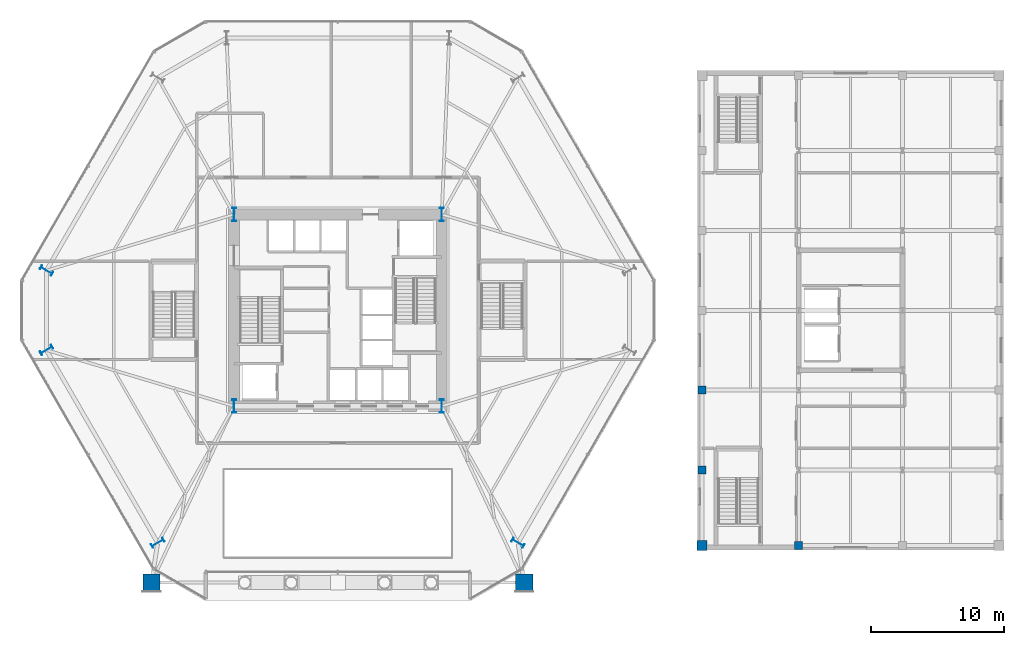
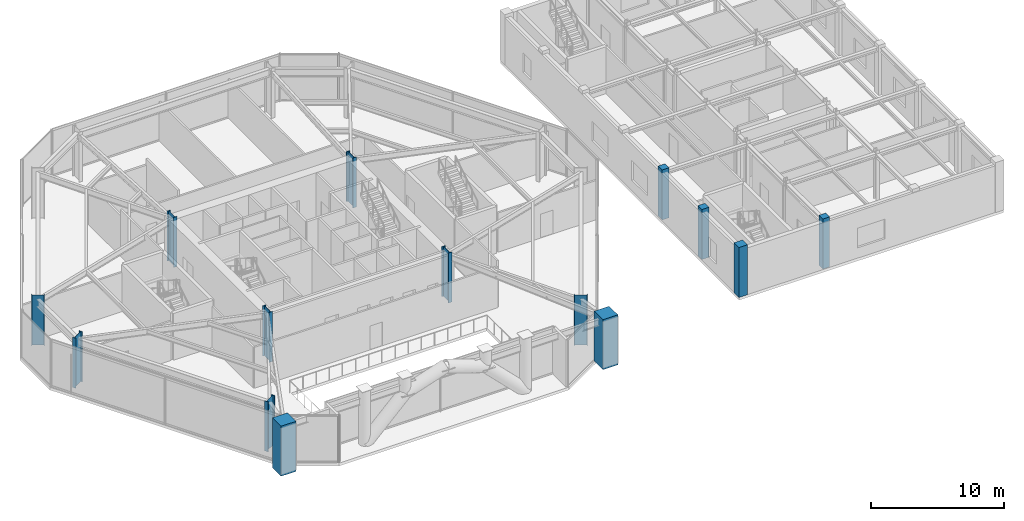
# One storey, part 1 of 23: 14 columns.
"""IFC4 building model written with IfcOpenShell, lengths in metres."""

import ifcopenshell
import ifcopenshell.guid

model = None  # the IFC model being written
_history = None  # IfcOwnerHistory: only IFC2X3 demands one
_inside = {}  # id of a spatial element -> (the spatial element, [elements in it])
_under = {}  # id of a project, library or spatial element -> (it, [spatial elements below it])
_declared = {}  # id of a project -> (the project, [libraries it declares])
_typed = {}  # id of a type object -> (the type object, [elements of that type])
_made_of = {}  # id of a material, layer set ... -> (it, [elements and type objects made of it])


def new_model(schema):
    """Start an empty IFC model of exactly this schema.

    Asked for "IFC4X3", IfcOpenShell would pick the latest addendum, in which some entities
    have other attributes; the version numbers below select the first issue.
    IFC2X3 requires an IfcOwnerHistory on every rooted entity: one is made here for all.
    """
    global model, _history
    if schema == "IFC4X3":
        model = ifcopenshell.file(schema_version=(4, 3, 0, 0))
    else:
        model = ifcopenshell.file(schema=schema)
    _inside.clear()
    _under.clear()
    _declared.clear()
    _typed.clear()
    _made_of.clear()
    _history = None
    if model.schema == "IFC2X3":
        org = make("IfcOrganization", Name="unknown")
        user = make(
            "IfcPersonAndOrganization",
            ThePerson=make("IfcPerson", FamilyName="unknown"),
            TheOrganization=org,
        )
        app = make(
            "IfcApplication",
            ApplicationDeveloper=org,
            Version="unknown",
            ApplicationFullName="unknown",
            ApplicationIdentifier="unknown",
        )
        _history = make(
            "IfcOwnerHistory",
            OwningUser=user,
            OwningApplication=app,
            ChangeAction="ADDED",
            CreationDate=0,
        )
    return model


def make(cls, **values):
    """One entity of the class cls with the attributes given. An attribute that is None is left unset."""
    return model.create_entity(
        cls, **{name: value for name, value in values.items() if value is not None}
    )


def rooted(cls, **values):
    """An entity with a GlobalId (a new one), such as an element, a storey or a relation."""
    return make(cls, GlobalId=ifcopenshell.guid.new(), OwnerHistory=_history, **values)


def si_unit(unit_type, name, prefix=None):
    """IfcSIUnit, for example si_unit("LENGTHUNIT", "METRE", prefix="MILLI")."""
    return make("IfcSIUnit", UnitType=unit_type, Prefix=prefix, Name=name)


def assignment(units):
    """IfcUnitAssignment: the units of a project."""
    return None if units is None else make("IfcUnitAssignment", Units=units)


def point(xyz):
    """IfcCartesianPoint."""
    return None if xyz is None else make("IfcCartesianPoint", Coordinates=xyz)


def direction(xyz):
    """IfcDirection."""
    return None if xyz is None else make("IfcDirection", DirectionRatios=xyz)


def frame(location, z_axis=None, x_axis=None):
    """IfcAxis2Placement3D, a coordinate frame: its origin and axes. An axis left out is left unset."""
    return make(
        "IfcAxis2Placement3D",
        Location=point(location),
        Axis=direction(z_axis),
        RefDirection=direction(x_axis),
    )


def frame_2d(location, x_axis=None):
    """IfcAxis2Placement2D, a coordinate frame in the plane: its origin and x axis."""
    return make(
        "IfcAxis2Placement2D", Location=point(location), RefDirection=direction(x_axis)
    )


def origin():
    """The frame at (0, 0, 0) with its axes left unset."""
    return frame((0.0, 0.0, 0.0))


def origin_2d():
    """The frame at (0, 0) in the plane with its x axis left unset."""
    return frame_2d((0.0, 0.0))


def place(relative_to, where):
    """IfcLocalPlacement: puts the frame where relative to a parent placement (None: the world)."""
    return make(
        "IfcLocalPlacement", PlacementRelTo=relative_to, RelativePlacement=where
    )


def context(
    kind, dimensions, precision=None, world=None, true_north=None, identifier=None
):
    """IfcGeometricRepresentationContext, for example the 3D "Model" context."""
    return make(
        "IfcGeometricRepresentationContext",
        ContextIdentifier=identifier,
        ContextType=kind,
        CoordinateSpaceDimension=dimensions,
        Precision=precision,
        WorldCoordinateSystem=world,
        TrueNorth=true_north,
    )


def subcontext(parent, identifier, kind, view, scale=None):
    """IfcGeometricRepresentationSubContext, for example "Body" below "Model"."""
    return make(
        "IfcGeometricRepresentationSubContext",
        ContextIdentifier=identifier,
        ContextType=kind,
        ParentContext=parent,
        TargetScale=scale,
        TargetView=view,
    )


def project(units=None, contexts=None):
    """IfcProject with its units and contexts."""
    return rooted(
        "IfcProject",
        Name="project",
        RepresentationContexts=contexts,
        UnitsInContext=assignment(units),
    )


def spatial(cls, under=None, at=None, **own):
    """A site, building, storey or space (cls), placed at a placement, below another one or the project."""
    s = rooted(cls, ObjectPlacement=at, **own)
    if under is not None:
        _under.setdefault(under.id(), (under, []))[1].append(s)
    return s


def profile(cls, at=None, kind="AREA", **sizes):
    """A parametric profile (cls). Its sizes go by their IFC names, for example OverallWidth=200.0."""
    return make(cls, ProfileType=kind, Position=at, **sizes)


def rectangle(**sizes):
    """IfcRectangleProfileDef."""
    return profile("IfcRectangleProfileDef", **sizes)


def i_section(**sizes):
    """IfcIShapeProfileDef."""
    return profile("IfcIShapeProfileDef", **sizes)


def extrude(swept, where, along, depth):
    """IfcExtrudedAreaSolid: the profile swept, set in the frame where, extruded along a direction by depth."""
    return make(
        "IfcExtrudedAreaSolid",
        SweptArea=swept,
        Position=where,
        ExtrudedDirection=direction(along),
        Depth=depth,
    )


def shape(context_of_items, identifier, shape_type, items):
    """IfcShapeRepresentation: the items that make up one representation, for example the "Body"."""
    return make(
        "IfcShapeRepresentation",
        ContextOfItems=context_of_items,
        RepresentationIdentifier=identifier,
        RepresentationType=shape_type,
        Items=items,
    )


def material(Name=None, Category=None):
    """IfcMaterial."""
    return make("IfcMaterial", Name=Name, Category=Category)


def material_profile(
    of_material, cross_section, Name=None, Category=None, Priority=None
):
    """IfcMaterialProfile: a cross section and its material."""
    return make(
        "IfcMaterialProfile",
        Name=Name,
        Material=of_material,
        Profile=cross_section,
        Priority=Priority,
        Category=Category,
    )


def profile_set(profiles, Name=None, composite=None):
    """IfcMaterialProfileSet."""
    return make(
        "IfcMaterialProfileSet",
        Name=Name,
        MaterialProfiles=profiles,
        CompositeProfile=composite,
    )


def made_of(thing, what):
    """Note that an element or type object is made of a material, layer set ...; save() writes the relation."""
    if what is not None:
        _made_of.setdefault(what.id(), (what, []))[1].append(thing)
    return thing


def type_object(cls, material=None, **own):
    """A type object (cls), such as IfcWallType, which elements share."""
    return made_of(rooted(cls, **own), material)


def element(
    cls,
    number,
    at=None,
    inside=None,
    cuts=None,
    type_object=None,
    material=None,
    context=None,
    identifier="Body",
    shape_type=None,
    held_by="IfcProductDefinitionShape",
    body=None,
    shapes=None,
    **own,
):
    """One element of the class cls, such as IfcWall. Its Tag is "e" and its number.

    at: its placement. inside: the storey or other place that contains it. cuts: it is an
    opening in that element (IfcRelVoidsElement). A single representation is given by context,
    identifier, shape_type and body (its items); several are given by shapes. held_by: the class
    of the entity that holds the representations. save() writes the other relations.
    """
    e = rooted(cls, Tag="e%d" % number, ObjectPlacement=at, **own)
    if body is not None:
        shapes = [shape(context, identifier, shape_type, body)]
    if shapes is not None:
        e.Representation = make(held_by, Representations=shapes)
    if inside is not None:
        _inside.setdefault(inside.id(), (inside, []))[1].append(e)
    if cuts is not None:
        rooted(
            "IfcRelVoidsElement", RelatingBuildingElement=cuts, RelatedOpeningElement=e
        )
    if type_object is not None:
        _typed.setdefault(type_object.id(), (type_object, []))[1].append(e)
    return made_of(e, material)


def aggregate(whole, parts):
    """IfcRelAggregates: a whole, such as a stair, and the parts it consists of."""
    return rooted("IfcRelAggregates", RelatingObject=whole, RelatedObjects=parts)


def save(model, path):
    """Write the relations noted so far, then the file.

    IfcRelAggregates (storeys below a building ...), IfcRelContainedInSpatialStructure (elements
    in a storey), IfcRelDefinesByType, IfcRelAssociatesMaterial and IfcRelDeclares: one each for
    every whole, place, type object, material and project.
    """
    for whole, parts in _under.values():
        aggregate(whole, parts)
    for where, things in _inside.values():
        rooted(
            "IfcRelContainedInSpatialStructure",
            RelatedElements=things,
            RelatingStructure=where,
        )
    for kind, things in _typed.values():
        rooted("IfcRelDefinesByType", RelatedObjects=things, RelatingType=kind)
    for what, things in _made_of.values():
        rooted("IfcRelAssociatesMaterial", RelatedObjects=things, RelatingMaterial=what)
    for by, libraries in _declared.values():
        rooted("IfcRelDeclares", RelatingContext=by, RelatedDefinitions=libraries)
    model.write(path)


model = new_model("IFC4")

# Units and contexts
model_context = context("Model", 3, precision=1e-05, world=origin(), true_north=direction((0.0, 1.0)))
body_context = subcontext(model_context, "Body", "Model", "MODEL_VIEW")
ifc_project = project(units=[si_unit("LENGTHUNIT", "METRE"), si_unit("AREAUNIT", "SQUARE_METRE"), si_unit("VOLUMEUNIT", "CUBIC_METRE"), si_unit("PLANEANGLEUNIT", "RADIAN"), si_unit("MASSUNIT", "GRAM", prefix="KILO")], contexts=[model_context])

# Site, building, storey
site_placement = place(None, origin())
site = spatial("IfcSite", under=ifc_project, at=site_placement, CompositionType="ELEMENT")
building_placement = place(site_placement, origin())
building = spatial("IfcBuilding", under=site, at=building_placement, Name="Kranzbogen Civic Tower", CompositionType="ELEMENT")
storey_placement = place(building_placement, frame((0.0, 0.0, 14.39990234375)))
storey = spatial("IfcBuildingStorey", under=building, at=storey_placement, Name="L03", CompositionType="ELEMENT", Elevation=14.39990234375)

# Columns
ifc_material_1 = material(Name="Steel S460", Category="steel")
ifc_material_profile_1 = material_profile(ifc_material_1, i_section(OverallWidth=0.302001953125, OverallDepth=1.008056640625, WebThickness=0.02099609375, FlangeThickness=0.0400390625, at=origin_2d()), Name="HEM 1000")
ifc_profile_set_1 = profile_set([ifc_material_profile_1], Name="Steel S460")
column_type_1 = type_object("IfcColumnType", Name="Structural Column HEM 1000", PredefinedType="COLUMN", material=ifc_profile_set_1)
for number, where, z_axis, x_axis, name in (
    (1, (17.199951171875, 17.800048828125, 0.0), (0.0, 0.0, 1.0), (1.0, 0.0, 0.0), "L03 composite core corner column 1"),
    (2, (32.800048828125, 17.800048828125, 0.0), (0.0, 0.0, 1.0), (1.0, 0.0, 0.0), "L03 composite core corner column 2"),
    (3, (32.800048828125, 32.199951171875, 0.0), (0.0, 0.0, 1.0), (1.0, 0.0, 0.0), "L03 composite core corner column 3"),
    (4, (17.199951171875, 32.199951171875, 0.0), (0.0, 0.0, 1.0), (1.0, 0.0, 0.0), "L03 composite core corner column 4"),
    (5, (3.110107421875, 27.986083984375, 0.0), (0.0, 0.0, 1.0), (0.5, 0.866025403784, 0.0), "L03 tower perimeter tube column 06"),
    (6, (3.110107421875, 22.013916015625, 0.0), (0.0, 0.0, 1.0), (-0.5, 0.866025403784, 0.0), "L03 tower perimeter tube column 07"),
    (7, (11.468994140625, 7.535888671875, 0.0), (0.0, 0.0, 1.0), (-0.5, 0.866025403784, 0.0), "L03 tower perimeter tube column 08"),
    (8, (38.531005859375, 7.535888671875, 0.0), (0.0, 0.0, 1.0), (0.5, 0.866025403784, 0.0), "L03 tower perimeter tube column 11"),
):
    element("IfcColumn", number, at=place(storey_placement, frame(where, z_axis=z_axis, x_axis=x_axis)), inside=storey, type_object=column_type_1, Name=name, PredefinedType="COLUMN", context=body_context, shape_type="SweptSolid", body=[
        extrude(i_section(OverallWidth=0.302001953125, OverallDepth=1.008056640625, WebThickness=0.02099609375, FlangeThickness=0.0400390625, at=origin_2d()), origin(), (0.0, 0.0, 1.0), 4.60009765625),
    ])
ifc_material_2 = material(Name="Concrete C55/67", Category="concrete")
ifc_material_profile_2 = material_profile(ifc_material_2, rectangle(XDim=1.300048828125, YDim=1.300048828125, at=origin_2d()), Name="RC 1300x1300")
ifc_profile_set_2 = profile_set([ifc_material_profile_2], Name="Concrete C55/67")
column_type_2 = type_object("IfcColumnType", Name="Structural Column RC 1300x1300", PredefinedType="COLUMN", material=ifc_profile_set_2)
for number, where, z_axis, x_axis, name in (
    (9, (11.0, 4.550048828125, 0.0), (0.0, 0.0, 1.0), (1.0, 0.0, 0.0), "L03 portal arch corner pier 1"),
    (10, (39.0, 4.550048828125, 0.0), (0.0, 0.0, 1.0), (1.0, 0.0, 0.0), "L03 portal arch corner pier 2"),
):
    element("IfcColumn", number, at=place(storey_placement, frame(where, z_axis=z_axis, x_axis=x_axis)), inside=storey, type_object=column_type_2, Name=name, PredefinedType="COLUMN", context=body_context, shape_type="SweptSolid", body=[
        extrude(rectangle(XDim=1.300048828125, YDim=1.300048828125, at=origin_2d()), origin(), (0.0, 0.0, 1.0), 4.60009765625),
    ])
ifc_material_3 = material(Name="Concrete C40/50", Category="concrete")
ifc_material_profile_3 = material_profile(ifc_material_3, rectangle(XDim=0.60009765625, YDim=0.60009765625, at=origin_2d()), Name="RC 600x600")
ifc_profile_set_3 = profile_set([ifc_material_profile_3], Name="Concrete C40/50")
column_type_3 = type_object("IfcColumnType", Name="Structural Column RC 600x600", PredefinedType="COLUMN", material=ifc_profile_set_3)
for number, where, z_axis, x_axis, name in (
    (11, (52.35009765625, 13.0, 0.0), (0.0, 0.0, 1.0), (1.0, 0.0, 0.0), "L03 Health Centre column 10/C"),
    (12, (52.35009765625, 19.0, 0.0), (0.0, 0.0, 1.0), (1.0, 0.0, 0.0), "L03 Health Centre column 10/D"),
    (13, (59.60009765625, 7.35009765625, 0.0), (0.0, 0.0, 1.0), (1.0, 0.0, 0.0), "L03 Health Centre column 11/B"),
):
    element("IfcColumn", number, at=place(storey_placement, frame(where, z_axis=z_axis, x_axis=x_axis)), inside=storey, type_object=column_type_3, Name=name, PredefinedType="COLUMN", context=body_context, shape_type="SweptSolid", body=[
        extrude(rectangle(XDim=0.60009765625, YDim=0.60009765625, at=origin_2d()), origin(), (0.0, 0.0, 1.0), 4.60009765625),
    ])
ifc_material_profile_4 = material_profile(ifc_material_3, rectangle(XDim=0.75, YDim=0.75, at=origin_2d()), Name="RC 750x750")
ifc_profile_set_4 = profile_set([ifc_material_profile_4], Name="Concrete C40/50")
column_type_4 = type_object("IfcColumnType", Name="Structural Column RC 750x750", PredefinedType="COLUMN", material=ifc_profile_set_4)
column_placement = place(storey_placement, frame((52.35009765625, 7.35009765625, 0.0), z_axis=(0.0, 0.0, 1.0), x_axis=(1.0, 0.0, 0.0)))
element("IfcColumn", 14, at=column_placement, inside=storey, type_object=column_type_4, Name="L03 Health Centre column 10/B", PredefinedType="COLUMN", context=body_context, shape_type="SweptSolid", body=[
    extrude(rectangle(XDim=0.75, YDim=0.75, at=origin_2d()), origin(), (0.0, 0.0, 1.0), 4.60009765625),
])

save(model, "model.ifc")
